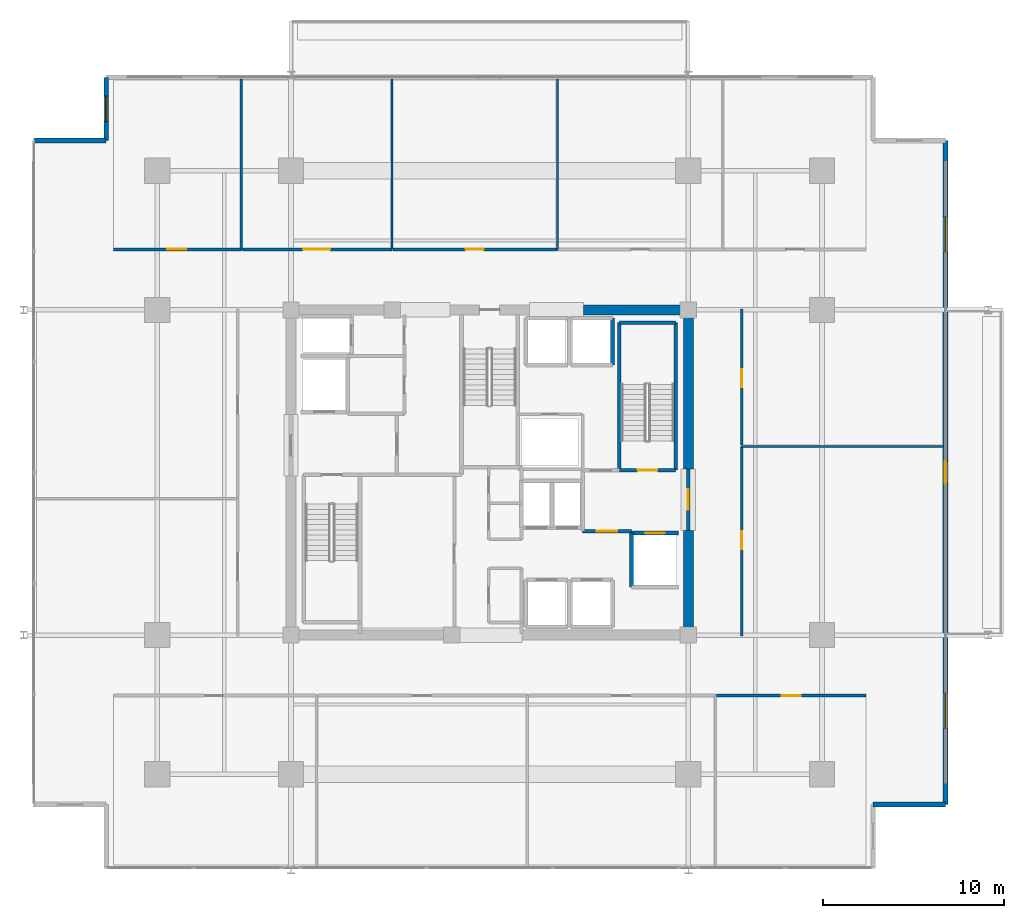
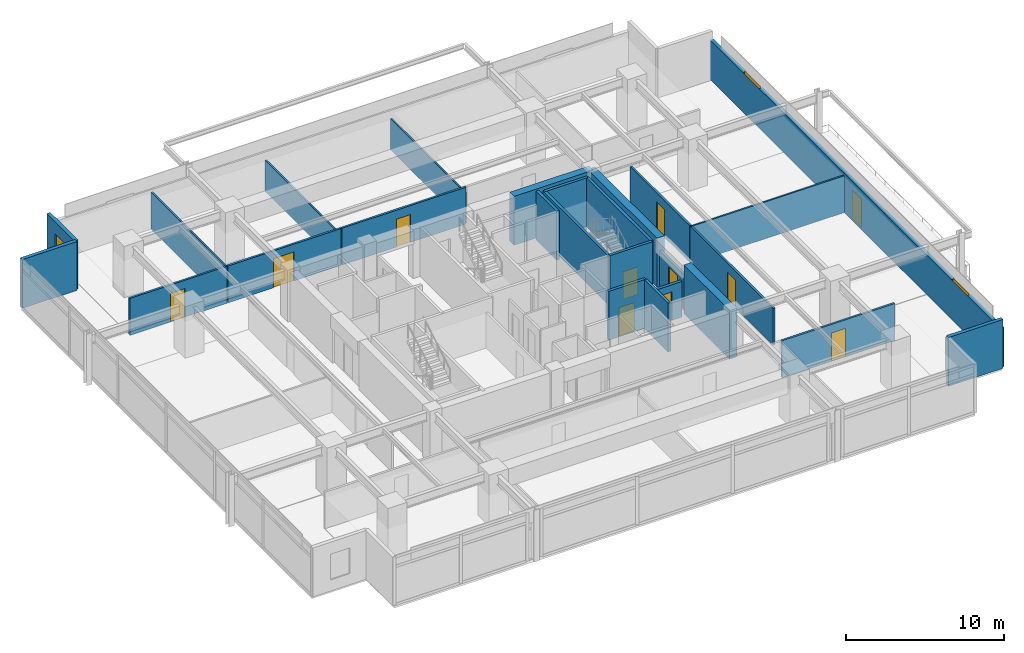
# One storey, part 15 of 20: 26 walls, 11 doors, 3 windows, 14 openings.
"""IFC4 building model written with IfcOpenShell, lengths in metres."""

from ifc_helpers import new_model, si_unit, direction, frame, frame_2d, origin, place, context, subcontext, project, spatial, rectangle, extrude, material, layer, layer_set, type_object, element, fill, save


model = new_model("IFC4")

# Units and contexts
model_context = context("Model", 3, precision=1e-05, world=origin(), true_north=direction((0.0, 1.0)))
body_context = subcontext(model_context, "Body", "Model", "MODEL_VIEW")
ifc_project = project(units=[si_unit("LENGTHUNIT", "METRE"), si_unit("AREAUNIT", "SQUARE_METRE"), si_unit("VOLUMEUNIT", "CUBIC_METRE"), si_unit("PLANEANGLEUNIT", "RADIAN"), si_unit("MASSUNIT", "GRAM", prefix="KILO")], contexts=[model_context])

# Site, building, storey
site_placement = place(None, origin())
site = spatial("IfcSite", under=ifc_project, at=site_placement, CompositionType="ELEMENT")
building_placement = place(site_placement, origin())
building = spatial("IfcBuilding", under=site, at=building_placement, Name="Kovane Verandah Tower", CompositionType="ELEMENT")
storey_placement = place(building_placement, frame((0.0, 0.0, 213.199951171875)))
storey = spatial("IfcBuildingStorey", under=building, at=storey_placement, Name="L49", CompositionType="ELEMENT", Elevation=213.199951171875)

# Wall, opening, door
ifc_material_1 = material(Name="Fire-Rated Gypsum Stud Partition", Category="gypsum")
ifc_layer_1 = layer(ifc_material_1, 0.14990234375)
ifc_layer_set_1 = layer_set([ifc_layer_1], Name="Fire-Rated Gypsum Stud Partition")
wall_type_1 = type_object("IfcWallType", Name="WL-COR-150", PredefinedType="PARTITIONING", material=ifc_layer_set_1)
wall_1_placement = place(storey_placement, frame((19.168212890625, 39.85009765625, 0.0), z_axis=(0.0, 0.0, 1.0), x_axis=(1.0, 0.0, 0.0)))
wall_1 = element("IfcWall", 1, at=wall_1_placement, inside=storey, type_object=wall_type_1, Name="L49 Executive Office N1 Corridor Partition", PredefinedType="PARTITIONING", context=body_context, shape_type="SweptSolid", body=[
    extrude(rectangle(XDim=7.0830078125, YDim=0.14990234375, at=frame_2d((3.54150390625, 0.0))), origin(), (0.0, 0.0, 1.0), 2.85009765625),
])
opening_1_placement = place(wall_1_placement, frame((2.9814453125, 0.0, 0.0)))
opening_1 = element("IfcOpeningElement", 2, at=opening_1_placement, cuts=wall_1, Name="Opening DR-L49-016", PredefinedType="OPENING", context=body_context, shape_type="SweptSolid", body=[
    extrude(rectangle(XDim=1.050048828125, YDim=2.199951171875, at=frame_2d((0.52490234375, 1.10009765625))), frame((0.0, 0.074951171875, 0.0), z_axis=(0.0, -1.0, 0.0), x_axis=(1.0, 0.0, 0.0)), (0.0, 0.0, 1.0), 0.14990234375),
])
ifc_material_2 = material(Name="FSC Blackbutt Timber Fire-Rated Executive Door", Category="wood")
door_type_1 = type_object("IfcDoorType", Name="DR-EXEC-1050", OperationType="SINGLE_SWING_LEFT", PredefinedType="DOOR", material=ifc_material_2)
door_1_placement = place(opening_1_placement, origin())
door_1 = element("IfcDoor", 3, at=door_1_placement, inside=storey, type_object=door_type_1, Name="L49 Executive Office N1 Entrance Door", OperationType="SINGLE_SWING_LEFT", OverallHeight=2.199951171875, OverallWidth=1.050048828125, PredefinedType="DOOR", context=body_context, shape_type="SweptSolid", body=[
    extrude(rectangle(XDim=1.050048828125, YDim=2.199951171875, at=frame_2d((0.52490234375, 1.10009765625))), frame((0.0, 0.02490234375, 0.0), z_axis=(0.0, -1.0, 0.0), x_axis=(1.0, 0.0, 0.0)), (0.0, 0.0, 1.0), 0.050048828125),
])
fill(opening_1, door_1)

wall_2_placement = place(storey_placement, frame((26.321044921875, 39.85009765625, 0.0), z_axis=(0.0, 0.0, 1.0), x_axis=(1.0, 0.0, 0.0)))
wall_2 = element("IfcWall", 4, at=wall_2_placement, inside=storey, type_object=wall_type_1, Name="L49 Client Boardroom N2 Corridor Partition", PredefinedType="PARTITIONING", context=body_context, shape_type="SweptSolid", body=[
    extrude(rectangle(XDim=8.2626953125, YDim=0.14990234375, at=frame_2d((4.13134765625, 0.0))), origin(), (0.0, 0.0, 1.0), 2.85009765625),
])
opening_2_placement = place(wall_2_placement, frame((3.346435546875, 0.0, 0.0)))
opening_2 = element("IfcOpeningElement", 5, at=opening_2_placement, cuts=wall_2, Name="Opening DR-L49-017", PredefinedType="OPENING", context=body_context, shape_type="SweptSolid", body=[
    extrude(rectangle(XDim=1.5, YDim=2.25, at=frame_2d((0.75, 1.125))), frame((0.0, 0.074951171875, 0.0), z_axis=(0.0, -1.0, 0.0), x_axis=(1.0, 0.0, 0.0)), (0.0, 0.0, 1.0), 0.14990234375),
])
ifc_material_3 = material(Name="Glazed Timber Fire-Rated Double Door", Category="wood")
door_type_2 = type_object("IfcDoorType", Name="DR-CONF-1500", OperationType="DOUBLE_DOOR_SINGLE_SWING", PredefinedType="DOOR", material=ifc_material_3)
door_2_placement = place(opening_2_placement, origin())
door_2 = element("IfcDoor", 6, at=door_2_placement, inside=storey, type_object=door_type_2, Name="L49 Client Boardroom N2 Entrance Door", OperationType="DOUBLE_DOOR_SINGLE_SWING", OverallHeight=2.25, OverallWidth=1.5, PredefinedType="DOOR", context=body_context, shape_type="SweptSolid", body=[
    extrude(rectangle(XDim=1.5, YDim=2.25, at=frame_2d((0.75, 1.125))), frame((0.0, 0.02490234375, 0.0), z_axis=(0.0, -1.0, 0.0), x_axis=(1.0, 0.0, 0.0)), (0.0, 0.0, 1.0), 0.050048828125),
])
fill(opening_2, door_2)

wall_3_placement = place(storey_placement, frame((34.65380859375, 39.85009765625, 0.0), z_axis=(0.0, 0.0, 1.0), x_axis=(1.0, 0.0, 0.0)))
wall_3 = element("IfcWall", 7, at=wall_3_placement, inside=storey, type_object=wall_type_1, Name="L49 Meeting Room N3 Corridor Partition", PredefinedType="PARTITIONING", context=body_context, shape_type="SweptSolid", body=[
    extrude(rectangle(XDim=9.095947265625, YDim=0.14990234375, at=frame_2d((4.5478515625, 0.0))), origin(), (0.0, 0.0, 1.0), 2.85009765625),
])
opening_3_placement = place(wall_3_placement, frame((4.012939453125, 0.0, 0.0)))
opening_3 = element("IfcOpeningElement", 8, at=opening_3_placement, cuts=wall_3, Name="Opening DR-L49-018", PredefinedType="OPENING", context=body_context, shape_type="SweptSolid", body=[
    extrude(rectangle(XDim=1.0, YDim=2.14990234375, at=frame_2d((0.5, 1.074951171875))), frame((0.0, 0.074951171875, 0.0), z_axis=(0.0, -1.0, 0.0), x_axis=(1.0, 0.0, 0.0)), (0.0, 0.0, 1.0), 0.14990234375),
])
ifc_material_4 = material(Name="FSC Spotted-Gum Timber Fire-Rated Office Door", Category="wood")
door_type_3 = type_object("IfcDoorType", Name="DR-OFF-1000", OperationType="SINGLE_SWING_LEFT", PredefinedType="DOOR", material=ifc_material_4)
door_3_placement = place(opening_3_placement, origin())
door_3 = element("IfcDoor", 9, at=door_3_placement, inside=storey, type_object=door_type_3, Name="L49 Meeting Room N3 Entrance Door", OperationType="SINGLE_SWING_LEFT", OverallHeight=2.14990234375, OverallWidth=1.0, PredefinedType="DOOR", context=body_context, shape_type="SweptSolid", body=[
    extrude(rectangle(XDim=1.0, YDim=2.14990234375, at=frame_2d((0.5, 1.074951171875))), frame((0.0, 0.02490234375, 0.0), z_axis=(0.0, -1.0, 0.0), x_axis=(1.0, 0.0, 0.0)), (0.0, 0.0, 1.0), 0.050048828125),
])
fill(opening_3, door_3)

wall_4_placement = place(storey_placement, frame((52.569091796875, 15.14990234375, 0.0), z_axis=(0.0, 0.0, 1.0), x_axis=(1.0, 0.0, 0.0)))
wall_4 = element("IfcWall", 10, at=wall_4_placement, inside=storey, type_object=wall_type_1, Name="L49 Executive Office S4 Corridor Partition", PredefinedType="PARTITIONING", context=body_context, shape_type="SweptSolid", body=[
    extrude(rectangle(XDim=8.2626953125, YDim=0.14990234375, at=frame_2d((4.13134765625, 0.0))), origin(), (0.0, 0.0, 1.0), 2.85009765625),
])
opening_4_placement = place(wall_4_placement, frame((3.606201171875, 0.0, 0.0)))
opening_4 = element("IfcOpeningElement", 11, at=opening_4_placement, cuts=wall_4, Name="Opening DR-L49-024", PredefinedType="OPENING", context=body_context, shape_type="SweptSolid", body=[
    extrude(rectangle(XDim=1.050048828125, YDim=2.199951171875, at=frame_2d((0.52490234375, 1.10009765625))), frame((0.0, 0.074951171875, 0.0), z_axis=(0.0, -1.0, 0.0), x_axis=(1.0, 0.0, 0.0)), (0.0, 0.0, 1.0), 0.14990234375),
])
door_4_placement = place(opening_4_placement, origin())
door_4 = element("IfcDoor", 12, at=door_4_placement, inside=storey, type_object=door_type_1, Name="L49 Executive Office S4 Entrance Door", OperationType="SINGLE_SWING_LEFT", OverallHeight=2.199951171875, OverallWidth=1.050048828125, PredefinedType="DOOR", context=body_context, shape_type="SweptSolid", body=[
    extrude(rectangle(XDim=1.050048828125, YDim=2.199951171875, at=frame_2d((0.52490234375, 1.10009765625))), frame((0.0, 0.02490234375, 0.0), z_axis=(0.0, -1.0, 0.0), x_axis=(1.0, 0.0, 0.0)), (0.0, 0.0, 1.0), 0.050048828125),
])
fill(opening_4, door_4)

wall_5_placement = place(storey_placement, frame((53.949951171875, 18.449951171875, 0.0), z_axis=(0.0, 0.0, 1.0), x_axis=(0.0, 1.0, 0.0)))
wall_5 = element("IfcWall", 13, at=wall_5_placement, inside=storey, type_object=wall_type_1, Name="L49 Focus Studio E1 Corridor Partition", PredefinedType="PARTITIONING", context=body_context, shape_type="SweptSolid", body=[
    extrude(rectangle(XDim=10.498046875, YDim=0.14990234375, at=frame_2d((5.2490234375, 0.0))), origin(), (0.0, 0.0, 1.0), 2.85009765625),
])
opening_5_placement = place(wall_5_placement, frame((4.7890625, 0.0, 0.0)))
opening_5 = element("IfcOpeningElement", 14, at=opening_5_placement, cuts=wall_5, Name="Opening DR-L49-012", PredefinedType="OPENING", context=body_context, shape_type="SweptSolid", body=[
    extrude(rectangle(XDim=1.0, YDim=2.14990234375, at=frame_2d((0.5, 1.074951171875))), frame((0.0, 0.074951171875, 0.0), z_axis=(0.0, -1.0, 0.0), x_axis=(1.0, 0.0, 0.0)), (0.0, 0.0, 1.0), 0.14990234375),
])
door_5_placement = place(opening_5_placement, origin())
door_5 = element("IfcDoor", 15, at=door_5_placement, inside=storey, type_object=door_type_3, Name="L49 Focus Studio E1 Entrance Door", OperationType="SINGLE_SWING_RIGHT", OverallHeight=2.14990234375, OverallWidth=1.0, PredefinedType="DOOR", context=body_context, shape_type="SweptSolid", body=[
    extrude(rectangle(XDim=1.0, YDim=2.14990234375, at=frame_2d((0.5, 1.074951171875))), frame((0.0, 0.02490234375, 0.0), z_axis=(0.0, -1.0, 0.0), x_axis=(1.0, 0.0, 0.0)), (0.0, 0.0, 1.0), 0.050048828125),
])
fill(opening_5, door_5)

wall_6_placement = place(storey_placement, frame((53.949951171875, 29.01806640625, 0.0), z_axis=(0.0, 0.0, 1.0), x_axis=(0.0, 1.0, 0.0)))
wall_6 = element("IfcWall", 16, at=wall_6_placement, inside=storey, type_object=wall_type_1, Name="L49 Breakout Pantry E2 Corridor Partition", PredefinedType="PARTITIONING", context=body_context, shape_type="SweptSolid", body=[
    extrude(rectangle(XDim=7.531982421875, YDim=0.14990234375, at=frame_2d((3.76611328125, 0.0))), origin(), (0.0, 0.0, 1.0), 2.85009765625),
])
opening_6_placement = place(wall_6_placement, frame((3.19091796875, 0.0, 0.0)))
opening_6 = element("IfcOpeningElement", 17, at=opening_6_placement, cuts=wall_6, Name="Opening DR-L49-013", PredefinedType="OPENING", context=body_context, shape_type="SweptSolid", body=[
    extrude(rectangle(XDim=1.0, YDim=2.14990234375, at=frame_2d((0.5, 1.074951171875))), frame((0.0, 0.074951171875, 0.0), z_axis=(0.0, -1.0, 0.0), x_axis=(1.0, 0.0, 0.0)), (0.0, 0.0, 1.0), 0.14990234375),
])
door_6_placement = place(opening_6_placement, origin())
door_6 = element("IfcDoor", 18, at=door_6_placement, inside=storey, type_object=door_type_3, Name="L49 Breakout Pantry E2 Entrance Door", OperationType="SINGLE_SWING_LEFT", OverallHeight=2.14990234375, OverallWidth=1.0, PredefinedType="DOOR", context=body_context, shape_type="SweptSolid", body=[
    extrude(rectangle(XDim=1.0, YDim=2.14990234375, at=frame_2d((0.5, 1.074951171875))), frame((0.0, 0.02490234375, 0.0), z_axis=(0.0, -1.0, 0.0), x_axis=(1.0, 0.0, 0.0)), (0.0, 0.0, 1.0), 0.050048828125),
])
fill(opening_6, door_6)

# Walls
ifc_material_5 = material(Name="Concrete C60/75", Category="concrete")
ifc_layer_2 = layer(ifc_material_5, 0.550048828125)
ifc_layer_set_2 = layer_set([ifc_layer_2], Name="Concrete C60/75")
wall_type_2 = type_object("IfcWallType", Name="WL-CORE-550", PredefinedType="SHEAR", material=ifc_layer_set_2)
for number, where, z_axis, x_axis, name in (
    (19, (45.199951171875, 36.5, 0.0), (0.0, 0.0, 1.0), (1.0, 0.0, 0.0), "L49 Core Shear Wall CN-3"),
    (20, (51.0, 18.5, 0.0), (0.0, 0.0, 1.0), (0.0, 1.0, 0.0), "L49 Core Shear Wall CE-1"),
):
    element("IfcWall", number, at=place(storey_placement, frame(where, z_axis=z_axis, x_axis=x_axis)), inside=storey, type_object=wall_type_2, Name=name, PredefinedType="SHEAR", context=body_context, shape_type="SweptSolid", body=[
        extrude(rectangle(XDim=5.800048828125, YDim=0.550048828125, at=frame_2d((2.89990234375, 0.0))), origin(), (0.0, 0.0, 1.0), 3.775146484375),
    ])
wall_7_placement = place(storey_placement, frame((51.0, 27.699951171875, 0.0), z_axis=(0.0, 0.0, 1.0), x_axis=(0.0, 1.0, 0.0)))
element("IfcWall", 21, at=wall_7_placement, inside=storey, type_object=wall_type_2, Name="L49 Core Shear Wall CE-2", PredefinedType="SHEAR", context=body_context, shape_type="SweptSolid", body=[
    extrude(rectangle(XDim=8.800048828125, YDim=0.550048828125, at=frame_2d((4.39990234375, 0.0))), origin(), (0.0, 0.0, 1.0), 3.775146484375),
])

# Wall, opening, door
ifc_material_6 = material(Name="Concrete C45/55 Fire Wall", Category="concrete")
ifc_layer_3 = layer(ifc_material_6, 0.199951171875)
ifc_layer_set_3 = layer_set([ifc_layer_3], Name="Concrete C45/55 Fire Wall")
wall_type_3 = type_object("IfcWallType", Name="WL-FFL-200", PredefinedType="PARTITIONING", material=ifc_layer_set_3)
wall_8_placement = place(storey_placement, frame((45.14990234375, 24.25, 0.0), z_axis=(0.0, 0.0, 1.0), x_axis=(1.0, 0.0, 0.0)))
wall_8 = element("IfcWall", 22, at=wall_8_placement, inside=storey, type_object=wall_type_3, Name="W-L49-FFLE-S", PredefinedType="PARTITIONING", context=body_context, shape_type="SweptSolid", body=[
    extrude(rectangle(XDim=2.7001953125, YDim=0.199951171875, at=frame_2d((1.35009765625, 0.0))), origin(), (0.0, 0.0, 1.0), 3.775146484375),
])
opening_7_placement = place(wall_8_placement, frame((0.77490234375, 0.0, 0.0)))
opening_7 = element("IfcOpeningElement", 23, at=opening_7_placement, cuts=wall_8, Name="Opening DR-L49-003", PredefinedType="OPENING", context=body_context, shape_type="SweptSolid", body=[
    extrude(rectangle(XDim=1.14990234375, YDim=2.199951171875, at=frame_2d((0.574951171875, 1.10009765625))), frame((0.0, 0.10009765625, 0.0), z_axis=(0.0, -1.0, 0.0), x_axis=(1.0, 0.0, 0.0)), (0.0, 0.0, 1.0), 0.199951171875),
])
ifc_material_7 = material(Name="Smoke-Sealed Firefighting Lobby Door", Category="steel")
door_type_4 = type_object("IfcDoorType", Name="DR-FFL-1150", OperationType="SINGLE_SWING_LEFT", PredefinedType="DOOR", material=ifc_material_7)
door_7_placement = place(opening_7_placement, origin())
door_7 = element("IfcDoor", 24, at=door_7_placement, inside=storey, type_object=door_type_4, Name="L49 East Firefighting Lobby Inner Door", OperationType="SINGLE_SWING_RIGHT", OverallHeight=2.199951171875, OverallWidth=1.14990234375, PredefinedType="DOOR", context=body_context, shape_type="SweptSolid", body=[
    extrude(rectangle(XDim=1.14990234375, YDim=2.199951171875, at=frame_2d((0.574951171875, 1.10009765625))), frame((0.0, 0.02490234375, 0.0), z_axis=(0.0, -1.0, 0.0), x_axis=(1.0, 0.0, 0.0)), (0.0, 0.0, 1.0), 0.050048828125),
])
fill(opening_7, door_7)

wall_9_placement = place(storey_placement, frame((51.0, 24.300048828125, 0.0), z_axis=(0.0, 0.0, 1.0), x_axis=(0.0, 1.0, 0.0)))
wall_9 = element("IfcWall", 25, at=wall_9_placement, inside=storey, type_object=wall_type_3, Name="W-L49-FFLE-OUT", PredefinedType="PARTITIONING", context=body_context, shape_type="SweptSolid", body=[
    extrude(rectangle(XDim=3.39990234375, YDim=0.199951171875, at=frame_2d((1.699951171875, 0.0))), origin(), (0.0, 0.0, 1.0), 2.755126953125),
])
opening_8_placement = place(wall_9_placement, frame((1.125, 0.0, 0.0)))
opening_8 = element("IfcOpeningElement", 26, at=opening_8_placement, cuts=wall_9, Name="Opening DR-L49-005", PredefinedType="OPENING", context=body_context, shape_type="SweptSolid", body=[
    extrude(rectangle(XDim=1.14990234375, YDim=2.199951171875, at=frame_2d((0.574951171875, 1.10009765625))), frame((0.0, 0.10009765625, 0.0), z_axis=(0.0, -1.0, 0.0), x_axis=(1.0, 0.0, 0.0)), (0.0, 0.0, 1.0), 0.199951171875),
])
door_8_placement = place(opening_8_placement, origin())
door_8 = element("IfcDoor", 27, at=door_8_placement, inside=storey, type_object=door_type_4, Name="L49 East Firefighting Lobby Corridor Door", OperationType="SINGLE_SWING_LEFT", OverallHeight=2.199951171875, OverallWidth=1.14990234375, PredefinedType="DOOR", context=body_context, shape_type="SweptSolid", body=[
    extrude(rectangle(XDim=1.14990234375, YDim=2.199951171875, at=frame_2d((0.574951171875, 1.10009765625))), frame((0.0, 0.02490234375, 0.0), z_axis=(0.0, -1.0, 0.0), x_axis=(1.0, 0.0, 0.0)), (0.0, 0.0, 1.0), 0.050048828125),
])
fill(opening_8, door_8)

ifc_material_8 = material(Name="Concrete C45/55 Lift Shaft Wall", Category="concrete")
ifc_layer_4 = layer(ifc_material_8, 0.199951171875)
ifc_layer_set_4 = layer_set([ifc_layer_4], Name="Concrete C45/55 Lift Shaft Wall")
wall_type_4 = type_object("IfcWallType", Name="WL-LIFT-200", PredefinedType="SOLIDWALL", material=ifc_layer_set_4)
wall_10_placement = place(storey_placement, frame((50.449951171875, 24.14990234375, 0.0), z_axis=(0.0, 0.0, 1.0), x_axis=(-1.0, 0.0, 0.0)))
wall_10 = element("IfcWall", 28, at=wall_10_placement, inside=storey, type_object=wall_type_4, Name="L49 Lift FL-02 N Shaft Wall", PredefinedType="SOLIDWALL", context=body_context, shape_type="SweptSolid", body=[
    extrude(rectangle(XDim=2.599853515625, YDim=0.199951171875, at=frame_2d((1.2998046875, 0.0))), origin(), (0.0, 0.0, 1.0), 2.755126953125),
])
opening_9_placement = place(wall_10_placement, frame((0.75, 0.0, 0.0)))
opening_9 = element("IfcOpeningElement", 29, at=opening_9_placement, cuts=wall_10, Name="Opening LD-L49-002", PredefinedType="OPENING", context=body_context, shape_type="SweptSolid", body=[
    extrude(rectangle(XDim=1.10009765625, YDim=2.199951171875, at=frame_2d((0.550048828125, 1.10009765625))), frame((0.0, 0.10009765625, 0.0), z_axis=(0.0, -1.0, 0.0), x_axis=(1.0, 0.0, 0.0)), (0.0, 0.0, 1.0), 0.199951171875),
])
ifc_material_9 = material(Name="Brushed Stainless Steel Sliding Lift Landing Door", Category="steel")
door_type_5 = type_object("IfcDoorType", Name="DR-LIFT-1100", OperationType="SLIDING_TO_RIGHT", PredefinedType="DOOR", material=ifc_material_9)
door_9_placement = place(opening_9_placement, origin())
door_9 = element("IfcDoor", 30, at=door_9_placement, inside=storey, type_object=door_type_5, Name="L49 Lift FL-02 Sliding Landing Door", OperationType="SLIDING_TO_RIGHT", OverallHeight=2.199951171875, OverallWidth=1.10009765625, PredefinedType="DOOR", context=body_context, shape_type="SweptSolid", body=[
    extrude(rectangle(XDim=1.10009765625, YDim=2.199951171875, at=frame_2d((0.550048828125, 1.10009765625))), frame((0.0, 0.02490234375, 0.0), z_axis=(0.0, -1.0, 0.0), x_axis=(1.0, 0.0, 0.0)), (0.0, 0.0, 1.0), 0.050048828125),
])
fill(opening_9, door_9)

# Walls
wall_11_placement = place(storey_placement, frame((47.85009765625, 24.14990234375, 0.0), z_axis=(0.0, 0.0, 1.0), x_axis=(0.0, -1.0, 0.0)))
element("IfcWall", 31, at=wall_11_placement, inside=storey, type_object=wall_type_4, Name="L49 Lift FL-02 W Shaft Wall", PredefinedType="SOLIDWALL", context=body_context, shape_type="SweptSolid", body=[
    extrude(rectangle(XDim=3.0, YDim=0.199951171875, at=frame_2d((1.5, 0.0))), origin(), (0.0, 0.0, 1.0), 3.775146484375),
])
wall_12_placement = place(storey_placement, frame((46.800048828125, 33.449951171875, 0.0), z_axis=(0.0, 0.0, 1.0), x_axis=(0.0, 1.0, 0.0)))
element("IfcWall", 32, at=wall_12_placement, inside=storey, type_object=wall_type_4, Name="L49 Lift OL-01 E Shaft Wall", PredefinedType="SOLIDWALL", context=body_context, shape_type="SweptSolid", body=[
    extrude(rectangle(XDim=2.60009765625, YDim=0.199951171875, at=frame_2d((1.300048828125, 0.0))), origin(), (0.0, 0.0, 1.0), 3.775146484375),
])
ifc_material_10 = material(Name="Acoustic Fire-Rated Gypsum Partition", Category="gypsum")
ifc_layer_5 = layer(ifc_material_10, 0.1201171875)
ifc_layer_set_5 = layer_set([ifc_layer_5], Name="Acoustic Fire-Rated Gypsum Partition")
wall_type_5 = type_object("IfcWallType", Name="WL-PART-120", PredefinedType="PARTITIONING", material=ifc_layer_set_5)
wall_13_placement = place(storey_placement, frame((26.251220703125, 39.85009765625, 0.0), z_axis=(0.0, 0.0, 1.0), x_axis=(0.0, 1.0, 0.0)))
element("IfcWall", 33, at=wall_13_placement, inside=storey, type_object=wall_type_5, Name="L49 Executive Office N1 Dividing Partition", PredefinedType="PARTITIONING", context=body_context, shape_type="SweptSolid", body=[
    extrude(rectangle(XDim=9.430419921875, YDim=0.1201171875, at=frame_2d((4.71533203125, 0.0))), origin(), (0.0, 0.0, 1.0), 2.85009765625),
])
for number, where, z_axis, x_axis, name in (
    (34, (34.583740234375, 39.85009765625, 0.0), (0.0, 0.0, 1.0), (0.0, 1.0, 0.0), "L49 Client Boardroom N2 Dividing Partition"),
    (35, (43.749755859375, 39.85009765625, 0.0), (0.0, 0.0, 1.0), (0.0, 1.0, 0.0), "L49 Meeting Room N3 Dividing Partition"),
):
    element("IfcWall", number, at=place(storey_placement, frame(where, z_axis=z_axis, x_axis=x_axis)), inside=storey, type_object=wall_type_5, Name=name, PredefinedType="PARTITIONING", context=body_context, shape_type="SweptSolid", body=[
        extrude(rectangle(XDim=9.430419921875, YDim=0.1201171875, at=frame_2d((4.71533203125, 0.0))), origin(), (0.0, 0.0, 1.0), 2.405029296875),
    ])
wall_14_placement = place(storey_placement, frame((53.949951171875, 28.947998046875, 0.0), z_axis=(0.0, 0.0, 1.0), x_axis=(1.0, 0.0, 0.0)))
element("IfcWall", 36, at=wall_14_placement, inside=storey, type_object=wall_type_5, Name="L49 Focus Studio E1 Dividing Partition", PredefinedType="PARTITIONING", context=body_context, shape_type="SweptSolid", body=[
    extrude(rectangle(XDim=11.181640625, YDim=0.1201171875, at=frame_2d((5.5908203125, 0.0))), origin(), (0.0, 0.0, 1.0), 2.85009765625),
])
ifc_material_11 = material(Name="Concrete C45/55", Category="concrete")
ifc_layer_6 = layer(ifc_material_11, 0.199951171875)
ifc_layer_set_6 = layer_set([ifc_layer_6], Name="Concrete C45/55")
wall_type_6 = type_object("IfcWallType", Name="WL-SHAFT-200", PredefinedType="SOLIDWALL", material=ifc_layer_set_6)
wall_15_placement = place(storey_placement, frame((50.300048828125, 27.64990234375, 0.0), z_axis=(0.0, 0.0, 1.0), x_axis=(0.0, 1.0, 0.0)))
element("IfcWall", 37, at=wall_15_placement, inside=storey, type_object=wall_type_6, Name="W-L49-ST02-E", PredefinedType="SOLIDWALL", context=body_context, shape_type="SweptSolid", body=[
    extrude(rectangle(XDim=8.150146484375, YDim=0.199951171875, at=frame_2d((4.0751953125, 0.0))), origin(), (0.0, 0.0, 1.0), 3.775146484375),
])
wall_16_placement = place(storey_placement, frame((47.179931640625, 35.800048828125, 0.0), z_axis=(0.0, 0.0, 1.0), x_axis=(1.0, 0.0, 0.0)))
element("IfcWall", 38, at=wall_16_placement, inside=storey, type_object=wall_type_6, Name="W-L49-ST02-N", PredefinedType="SOLIDWALL", context=body_context, shape_type="SweptSolid", body=[
    extrude(rectangle(XDim=3.1201171875, YDim=0.199951171875, at=frame_2d((1.56005859375, 0.0))), origin(), (0.0, 0.0, 1.0), 3.775146484375),
])
wall_17_placement = place(storey_placement, frame((47.179931640625, 27.6201171875, 0.0), z_axis=(0.0, 0.0, 1.0), x_axis=(0.0, 1.0, 0.0)))
element("IfcWall", 39, at=wall_17_placement, inside=storey, type_object=wall_type_6, Name="W-L49-ST02-W", PredefinedType="SOLIDWALL", context=body_context, shape_type="SweptSolid", body=[
    extrude(rectangle(XDim=8.179931640625, YDim=0.199951171875, at=frame_2d((4.08984375, 0.0))), origin(), (0.0, 0.0, 1.0), 3.775146484375),
])

# Wall, opening, door
wall_18_placement = place(storey_placement, frame((47.179931640625, 27.6201171875, 0.0), z_axis=(0.0, 0.0, 1.0), x_axis=(1.0, 0.0, 0.0)))
wall_18 = element("IfcWall", 40, at=wall_18_placement, inside=storey, type_object=wall_type_6, Name="W-L49-ST02-S", PredefinedType="SOLIDWALL", context=body_context, shape_type="SweptSolid", body=[
    extrude(rectangle(XDim=3.1201171875, YDim=0.199951171875, at=frame_2d((1.56005859375, 0.0))), origin(), (0.0, 0.0, 1.0), 3.775146484375),
])
opening_10_placement = place(wall_18_placement, frame((1.010009765625, 0.0, 0.0)))
opening_10 = element("IfcOpeningElement", 41, at=opening_10_placement, cuts=wall_18, Name="Opening DR-L49-010", PredefinedType="OPENING", context=body_context, shape_type="SweptSolid", body=[
    extrude(rectangle(XDim=1.10009765625, YDim=2.14990234375, at=frame_2d((0.550048828125, 1.074951171875))), frame((0.0, 0.10009765625, 0.0), z_axis=(0.0, -1.0, 0.0), x_axis=(1.0, 0.0, 0.0)), (0.0, 0.0, 1.0), 0.199951171875),
])
ifc_material_12 = material(Name="Fire-Rated Steel Exit Door", Category="steel")
door_type_6 = type_object("IfcDoorType", Name="DR-STAIR-1100", OperationType="SINGLE_SWING_LEFT", PredefinedType="DOOR", material=ifc_material_12)
door_10_placement = place(opening_10_placement, origin())
door_10 = element("IfcDoor", 42, at=door_10_placement, inside=storey, type_object=door_type_6, Name="L49 ST-02 Fire Exit Stair Door", OperationType="SINGLE_SWING_RIGHT", OverallHeight=2.14990234375, OverallWidth=1.10009765625, PredefinedType="DOOR", context=body_context, shape_type="SweptSolid", body=[
    extrude(rectangle(XDim=1.10009765625, YDim=2.14990234375, at=frame_2d((0.550048828125, 1.074951171875))), frame((0.0, 0.02490234375, 0.0), z_axis=(0.0, -1.0, 0.0), x_axis=(1.0, 0.0, 0.0)), (0.0, 0.0, 1.0), 0.050048828125),
])
fill(opening_10, door_10)

# Wall, openings, door, windows
ifc_material_13 = material(Name="Concrete C45/55 Insulated Spandrel Wall", Category="concrete")
ifc_layer_7 = layer(ifc_material_13, 0.260009765625)
ifc_layer_set_7 = layer_set([ifc_layer_7], Name="Concrete C45/55 Insulated Spandrel Wall")
wall_type_7 = type_object("IfcWallType", Name="WL-SPANDREL-260", PredefinedType="PARAPET", material=ifc_layer_set_7)
wall_19_placement = place(storey_placement, frame((65.231689453125, 9.119384765625, 0.0), z_axis=(0.0, 0.0, 1.0), x_axis=(0.0, 1.0, 0.0)))
wall_19 = element("IfcWall", 43, at=wall_19_placement, inside=storey, type_object=wall_type_7, Name="L49 E Verandah Access Facade Wall", PredefinedType="PARAPET", context=body_context, shape_type="SweptSolid", body=[
    extrude(rectangle(XDim=36.76123046875, YDim=0.260009765625, at=frame_2d((18.380615234375, 0.0))), origin(), (0.0, 0.0, 1.0), 3.047119140625),
])
opening_11_placement = place(wall_19_placement, frame((4.199951171875, 0.0, 0.85009765625)))
opening_11 = element("IfcOpeningElement", 44, at=opening_11_placement, cuts=wall_19, Name="Opening W-04", PredefinedType="OPENING", context=body_context, shape_type="SweptSolid", body=[
    extrude(rectangle(XDim=2.0, YDim=2.300048828125, at=frame_2d((1.0, 1.14990234375))), frame((0.0, 0.1298828125, 0.0), z_axis=(0.0, -1.0, 0.0), x_axis=(1.0, 0.0, 0.0)), (0.0, 0.0, 1.0), 0.260009765625),
])
opening_12_placement = place(wall_19_placement, frame((17.780517578125, 0.0, 0.0)))
opening_12 = element("IfcOpeningElement", 45, at=opening_12_placement, cuts=wall_19, Name="Opening DR-L49-001", PredefinedType="OPENING", context=body_context, shape_type="SweptSolid", body=[
    extrude(rectangle(XDim=1.199951171875, YDim=2.199951171875, at=frame_2d((0.60009765625, 1.10009765625))), frame((0.0, 0.1298828125, 0.0), z_axis=(0.0, -1.0, 0.0), x_axis=(1.0, 0.0, 0.0)), (0.0, 0.0, 1.0), 0.260009765625),
])
opening_13_placement = place(wall_19_placement, frame((30.561279296875, 0.0, 0.85009765625)))
opening_13 = element("IfcOpeningElement", 46, at=opening_13_placement, cuts=wall_19, Name="Opening W-04", PredefinedType="OPENING", context=body_context, shape_type="SweptSolid", body=[
    extrude(rectangle(XDim=2.0, YDim=2.300048828125, at=frame_2d((1.0, 1.14990234375))), frame((0.0, 0.1298828125, 0.0), z_axis=(0.0, -1.0, 0.0), x_axis=(1.0, 0.0, 0.0)), (0.0, 0.0, 1.0), 0.260009765625),
])
ifc_material_14 = material(Name="Cyclone-Rated Glazed Balcony Leaf Door", Category="aluminium")
door_type_7 = type_object("IfcDoorType", Name="DR-BAL-1200x2200", OperationType="SINGLE_SWING_LEFT", PredefinedType="DOOR", material=ifc_material_14)
door_11_placement = place(opening_12_placement, origin())
door_11 = element("IfcDoor", 47, at=door_11_placement, inside=storey, type_object=door_type_7, Name="L49 E Planted Balcony Access Door", OperationType="SINGLE_SWING_LEFT", OverallHeight=2.199951171875, OverallWidth=1.199951171875, PredefinedType="DOOR", context=body_context, shape_type="SweptSolid", body=[
    extrude(rectangle(XDim=1.199951171875, YDim=2.199951171875, at=frame_2d((0.60009765625, 1.10009765625))), frame((0.0, 0.02490234375, 0.0), z_axis=(0.0, -1.0, 0.0), x_axis=(1.0, 0.0, 0.0)), (0.0, 0.0, 1.0), 0.050048828125),
])
fill(opening_12, door_11)
ifc_material_15 = material(Name="Clear Low-E Laminated Double Glazing in Anodised Frame", Category="glass")
window_type_1 = type_object("IfcWindowType", Name="WN-FIXED-2000x2300", PartitioningType="SINGLE_PANEL", PredefinedType="WINDOW", material=ifc_material_15)
window_1_placement = place(opening_11_placement, origin())
window_1 = element("IfcWindow", 48, at=window_1_placement, inside=storey, type_object=window_type_1, Name="L49 E Verandah View Window 1", OverallHeight=2.300048828125, OverallWidth=2.0, PartitioningType="SINGLE_PANEL", PredefinedType="WINDOW", context=body_context, shape_type="SweptSolid", body=[
    extrude(rectangle(XDim=2.0, YDim=2.300048828125, at=frame_2d((1.0, 1.14990234375))), frame((0.0, 0.030029296875, 0.0), z_axis=(0.0, -1.0, 0.0), x_axis=(1.0, 0.0, 0.0)), (0.0, 0.0, 1.0), 0.06005859375),
])
fill(opening_11, window_1)
window_2_placement = place(opening_13_placement, origin())
window_2 = element("IfcWindow", 49, at=window_2_placement, inside=storey, type_object=window_type_1, Name="L49 E Verandah View Window 2", OverallHeight=2.300048828125, OverallWidth=2.0, PartitioningType="SINGLE_PANEL", PredefinedType="WINDOW", context=body_context, shape_type="SweptSolid", body=[
    extrude(rectangle(XDim=2.0, YDim=2.300048828125, at=frame_2d((1.0, 1.14990234375))), frame((0.0, 0.030029296875, 0.0), z_axis=(0.0, -1.0, 0.0), x_axis=(1.0, 0.0, 0.0)), (0.0, 0.0, 1.0), 0.06005859375),
])
fill(opening_13, window_2)

# Wall
wall_20_placement = place(storey_placement, frame((61.231689453125, 9.119384765625, 0.0), z_axis=(0.0, 0.0, 1.0), x_axis=(1.0, 0.0, 0.0)))
element("IfcWall", 50, at=wall_20_placement, inside=storey, type_object=wall_type_7, Name="L49 SE Notch Cheek Wall 2", PredefinedType="PARAPET", context=body_context, shape_type="SweptSolid", body=[
    extrude(rectangle(XDim=4.0, YDim=0.260009765625, at=frame_2d((2.0, 0.0))), origin(), (0.0, 0.0, 1.0), 3.775146484375),
])

# Wall, opening, window
wall_21_placement = place(storey_placement, frame((18.768310546875, 49.380615234375, 0.0), z_axis=(0.0, 0.0, 1.0), x_axis=(0.0, -1.0, 0.0)))
wall_21 = element("IfcWall", 51, at=wall_21_placement, inside=storey, type_object=wall_type_7, Name="L49 NW Notch Cheek Wall 1", PredefinedType="PARAPET", context=body_context, shape_type="SweptSolid", body=[
    extrude(rectangle(XDim=3.5, YDim=0.260009765625, at=frame_2d((1.75, 0.0))), origin(), (0.0, 0.0, 1.0), 3.775146484375),
])
opening_14_placement = place(wall_21_placement, frame((1.050048828125, 0.0, 0.85009765625)))
opening_14 = element("IfcOpeningElement", 52, at=opening_14_placement, cuts=wall_21, Name="Opening W-01", PredefinedType="OPENING", context=body_context, shape_type="SweptSolid", body=[
    extrude(rectangle(XDim=1.39990234375, YDim=2.0, at=frame_2d((0.699951171875, 1.0))), frame((0.0, 0.1298828125, 0.0), z_axis=(0.0, -1.0, 0.0), x_axis=(1.0, 0.0, 0.0)), (0.0, 0.0, 1.0), 0.260009765625),
])
window_type_2 = type_object("IfcWindowType", Name="WN-OPER-1400x2000", PartitioningType="SINGLE_PANEL", PredefinedType="WINDOW", material=ifc_material_15)
window_3_placement = place(opening_14_placement, origin())
window_3 = element("IfcWindow", 53, at=window_3_placement, inside=storey, type_object=window_type_2, Name="L49 NW Re-Entrant Corner Operable Window", OverallHeight=2.0, OverallWidth=1.39990234375, PartitioningType="SINGLE_PANEL", PredefinedType="WINDOW", context=body_context, shape_type="SweptSolid", body=[
    extrude(rectangle(XDim=1.39990234375, YDim=2.0, at=frame_2d((0.699951171875, 1.0))), frame((0.0, 0.030029296875, 0.0), z_axis=(0.0, -1.0, 0.0), x_axis=(1.0, 0.0, 0.0)), (0.0, 0.0, 1.0), 0.06005859375),
])
fill(opening_14, window_3)

# Wall
wall_22_placement = place(storey_placement, frame((18.768310546875, 45.880615234375, 0.0), z_axis=(0.0, 0.0, 1.0), x_axis=(-1.0, 0.0, 0.0)))
element("IfcWall", 54, at=wall_22_placement, inside=storey, type_object=wall_type_7, Name="L49 NW Notch Cheek Wall 2", PredefinedType="PARAPET", context=body_context, shape_type="SweptSolid", body=[
    extrude(rectangle(XDim=4.0, YDim=0.260009765625, at=frame_2d((2.0, 0.0))), origin(), (0.0, 0.0, 1.0), 3.775146484375),
])

save(model, "model.ifc")
